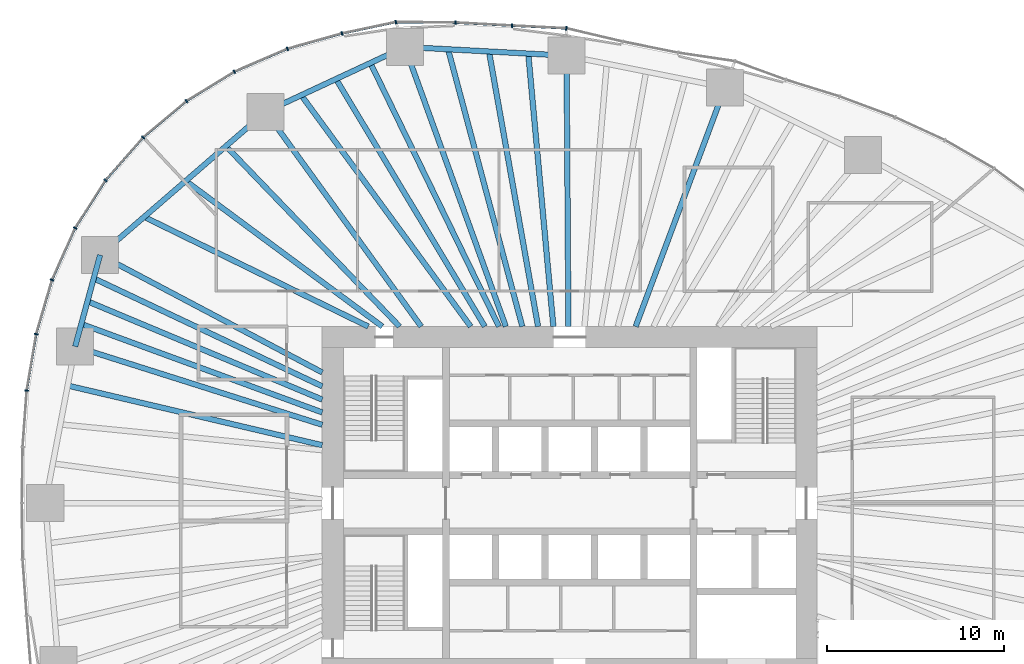
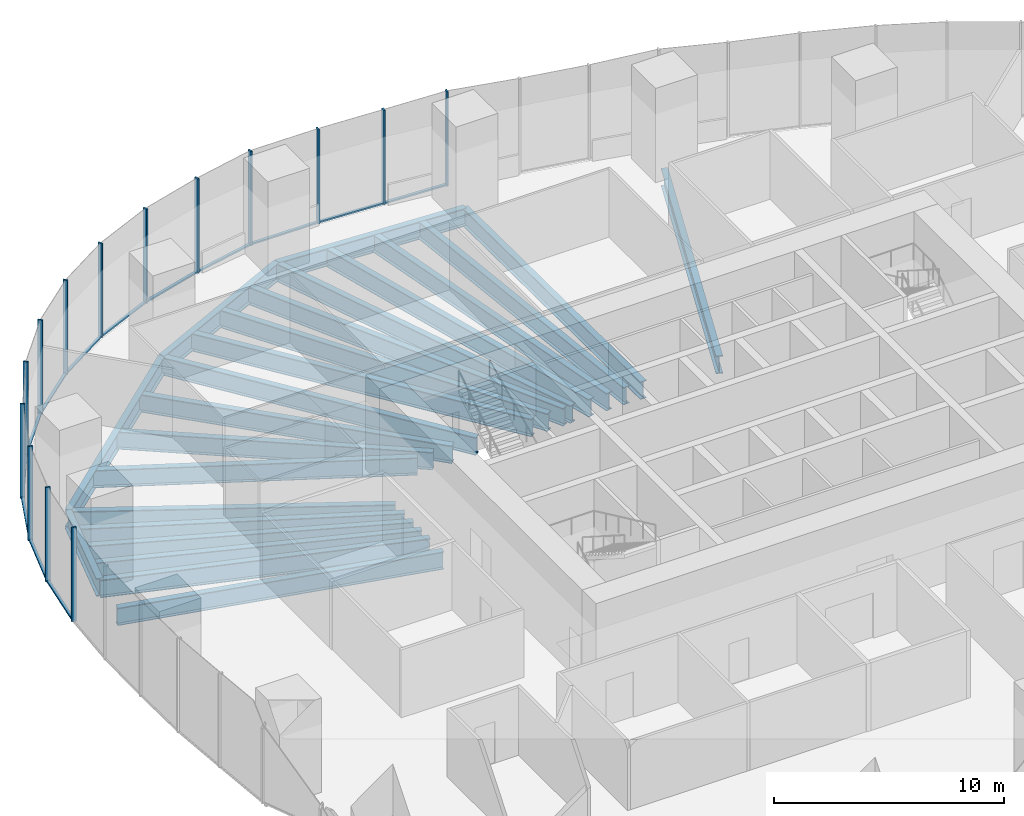
# One storey, part 5 of 20: 27 members, 23 beams, 5 elements without a shape of their own.
"""IFC4 building model written with IfcOpenShell, lengths in metres."""

from ifc_helpers import new_model, si_unit, direction, frame, origin, origin_2d, place, context, subcontext, project, spatial, rectangle, i_section, extrude, material, material_profile, profile_set, type_object, element, aggregate, save


model = new_model("IFC4")

# Units and contexts
model_context = context("Model", 3, precision=1e-05, world=origin(), true_north=direction((0.0, 1.0)))
body_context = subcontext(model_context, "Body", "Model", "MODEL_VIEW")
ifc_project = project(units=[si_unit("LENGTHUNIT", "METRE"), si_unit("AREAUNIT", "SQUARE_METRE"), si_unit("VOLUMEUNIT", "CUBIC_METRE"), si_unit("PLANEANGLEUNIT", "RADIAN"), si_unit("MASSUNIT", "GRAM", prefix="KILO")], contexts=[model_context])

# Site, building, storey
site_placement = place(None, origin())
site = spatial("IfcSite", under=ifc_project, at=site_placement, CompositionType="ELEMENT")
building_placement = place(site_placement, origin())
building = spatial("IfcBuilding", under=site, at=building_placement, Name="Ghaith Harvest Tower", CompositionType="ELEMENT")
storey_placement = place(building_placement, frame((0.0, 0.0, 30.0)))
storey = spatial("IfcBuildingStorey", under=building, at=storey_placement, Name="L06", CompositionType="ELEMENT", Elevation=30.0)

# Curtain wall, members
ifc_material_1 = material(Name="Black anodised aluminium and fritted glass", Category="aluminium")
curtain_wall_type = type_object("IfcCurtainWallType", Name="CW-F CURTAIN WALL", PredefinedType="NOTDEFINED", material=ifc_material_1)
curtain_wall_1_placement = place(storey_placement, origin())
curtain_wall_1 = element("IfcCurtainWall", 1, at=curtain_wall_1_placement, inside=storey, type_object=curtain_wall_type, Name="Curtain wall CW-F bay 06 L06", PredefinedType="NOTDEFINED")
ifc_material_2 = material(Name="Aluminium, black anodised", Category="aluminium")
ifc_material_profile_1 = material_profile(ifc_material_2, rectangle(XDim=0.080078125, YDim=0.219970703125, at=origin_2d()), Name="CW-F MULLION 80x220")
ifc_profile_set_1 = profile_set([ifc_material_profile_1], Name="Aluminium, black anodised")
member_type_1 = type_object("IfcMemberType", Name="CW-F MULLION 80x220", PredefinedType="MULLION", material=ifc_profile_set_1)
member_1_placement = place(storey_placement, frame((-0.183837890625, 26.877197265625, 0.0), z_axis=(0.0, 0.0, 1.0), x_axis=(-0.98971187143, 0.143074845976, 0.0)))
member_1 = element("IfcMember", 2, at=member_1_placement, type_object=member_type_1, Name="CW-F mullion 1 bay 06 L06", PredefinedType="MULLION", context=body_context, shape_type="SweptSolid", body=[
    extrude(rectangle(XDim=0.080078125, YDim=0.219970703125, at=origin_2d()), origin(), (0.0, 0.0, 1.0), 5.0),
])
member_2_placement = place(storey_placement, frame((-3.261962890625, 27.02978515625, 0.0), z_axis=(0.0, 0.0, 1.0), x_axis=(-0.998666923291, 0.051617597049, 0.0)))
member_2 = element("IfcMember", 3, at=member_2_placement, type_object=member_type_1, Name="CW-F mullion 2 bay 06 L06", PredefinedType="MULLION", context=body_context, shape_type="SweptSolid", body=[
    extrude(rectangle(XDim=0.080078125, YDim=0.219970703125, at=origin_2d()), origin(), (0.0, 0.0, 1.0), 5.0),
])
member_3_placement = place(storey_placement, frame((-6.465087890625, 27.20166015625, 0.0), z_axis=(0.0, 0.0, 1.0), x_axis=(-0.999527102163, 0.030750155138, 0.0)))
member_3 = element("IfcMember", 4, at=member_3_placement, type_object=member_type_1, Name="CW-F mullion 3 bay 06 L06", PredefinedType="MULLION", context=body_context, shape_type="SweptSolid", body=[
    extrude(rectangle(XDim=0.080078125, YDim=0.219970703125, at=origin_2d()), origin(), (0.0, 0.0, 1.0), 5.0),
])

curtain_wall_2_placement = place(storey_placement, origin())
curtain_wall_2 = element("IfcCurtainWall", 5, at=curtain_wall_2_placement, inside=storey, type_object=curtain_wall_type, Name="Curtain wall CW-F bay 07 L06", PredefinedType="NOTDEFINED")
member_4_placement = place(storey_placement, frame((-9.835693359375, 27.232177734375, 0.0), z_axis=(0.0, 0.0, 1.0), x_axis=(-0.995408459337, -0.095718332001, 0.0)))
member_4 = element("IfcMember", 6, at=member_4_placement, type_object=member_type_1, Name="CW-F mullion 1 bay 07 L06", PredefinedType="MULLION", context=body_context, shape_type="SweptSolid", body=[
    extrude(rectangle(XDim=0.080078125, YDim=0.219970703125, at=origin_2d()), origin(), (0.0, 0.0, 1.0), 5.0),
])
member_5_placement = place(storey_placement, frame((-12.880615234375, 26.5849609375, 0.0), z_axis=(0.0, 0.0, 1.0), x_axis=(-0.970824511782, -0.239791091, 0.0)))
member_5 = element("IfcMember", 7, at=member_5_placement, type_object=member_type_1, Name="CW-F mullion 2 bay 07 L06", PredefinedType="MULLION", context=body_context, shape_type="SweptSolid", body=[
    extrude(rectangle(XDim=0.080078125, YDim=0.219970703125, at=origin_2d()), origin(), (0.0, 0.0, 1.0), 5.0),
])
member_6_placement = place(storey_placement, frame((-15.97119140625, 25.716552734375, 0.0), z_axis=(0.0, 0.0, 1.0), x_axis=(-0.942293550527, -0.334787790451, 0.0)))
member_6 = element("IfcMember", 8, at=member_6_placement, type_object=member_type_1, Name="CW-F mullion 3 bay 07 L06", PredefinedType="MULLION", context=body_context, shape_type="SweptSolid", body=[
    extrude(rectangle(XDim=0.080078125, YDim=0.219970703125, at=origin_2d()), origin(), (0.0, 0.0, 1.0), 5.0),
])

curtain_wall_3_placement = place(storey_placement, origin())
curtain_wall_3 = element("IfcCurtainWall", 9, at=curtain_wall_3_placement, inside=storey, type_object=curtain_wall_type, Name="Curtain wall CW-F bay 08 L06", PredefinedType="NOTDEFINED")
member_7_placement = place(storey_placement, frame((-18.96728515625, 24.42236328125, 0.0), z_axis=(0.0, 0.0, 1.0), x_axis=(-0.887912253252, -0.460012859086, 0.0)))
member_7 = element("IfcMember", 10, at=member_7_placement, type_object=member_type_1, Name="CW-F mullion 1 bay 08 L06", PredefinedType="MULLION", context=body_context, shape_type="SweptSolid", body=[
    extrude(rectangle(XDim=0.080078125, YDim=0.219970703125, at=origin_2d()), origin(), (0.0, 0.0, 1.0), 5.0),
])
member_8_placement = place(storey_placement, frame((-21.681640625, 22.758056640625, 0.0), z_axis=(0.0, 0.0, 1.0), x_axis=(-0.811400750439, -0.584490224202, 0.0)))
member_8 = element("IfcMember", 11, at=member_8_placement, type_object=member_type_1, Name="CW-F mullion 2 bay 08 L06", PredefinedType="MULLION", context=body_context, shape_type="SweptSolid", body=[
    extrude(rectangle(XDim=0.080078125, YDim=0.219970703125, at=origin_2d()), origin(), (0.0, 0.0, 1.0), 5.0),
])
member_9_placement = place(storey_placement, frame((-24.139404296875, 20.696533203125, 0.0), z_axis=(0.0, 0.0, 1.0), x_axis=(-0.714663248213, -0.699468685256, 0.0)))
member_9 = element("IfcMember", 12, at=member_9_placement, type_object=member_type_1, Name="CW-F mullion 3 bay 08 L06", PredefinedType="MULLION", context=body_context, shape_type="SweptSolid", body=[
    extrude(rectangle(XDim=0.080078125, YDim=0.219970703125, at=origin_2d()), origin(), (0.0, 0.0, 1.0), 5.0),
])

curtain_wall_4_placement = place(storey_placement, origin())
curtain_wall_4 = element("IfcCurtainWall", 13, at=curtain_wall_4_placement, inside=storey, type_object=curtain_wall_type, Name="Curtain wall CW-F bay 09 L06", PredefinedType="NOTDEFINED")
member_10_placement = place(storey_placement, frame((-26.26318359375, 18.274169921875, 0.0), z_axis=(0.0, 0.0, 1.0), x_axis=(-0.599861600644, -0.800103780814, 0.0)))
member_10 = element("IfcMember", 14, at=member_10_placement, type_object=member_type_1, Name="CW-F mullion 1 bay 09 L06", PredefinedType="MULLION", context=body_context, shape_type="SweptSolid", body=[
    extrude(rectangle(XDim=0.080078125, YDim=0.219970703125, at=origin_2d()), origin(), (0.0, 0.0, 1.0), 5.0),
])
member_11_placement = place(storey_placement, frame((-27.986328125, 15.5654296875, 0.0), z_axis=(0.0, 0.0, 1.0), x_axis=(-0.473265082758, -0.880920065297, 0.0)))
member_11 = element("IfcMember", 15, at=member_11_placement, type_object=member_type_1, Name="CW-F mullion 2 bay 09 L06", PredefinedType="MULLION", context=body_context, shape_type="SweptSolid", body=[
    extrude(rectangle(XDim=0.080078125, YDim=0.219970703125, at=origin_2d()), origin(), (0.0, 0.0, 1.0), 5.0),
])
member_12_placement = place(storey_placement, frame((-29.29248046875, 12.63525390625, 0.0), z_axis=(0.0, 0.0, 1.0), x_axis=(-0.344618322502, -0.938742889079, 0.0)))
member_12 = element("IfcMember", 16, at=member_12_placement, type_object=member_type_1, Name="CW-F mullion 3 bay 09 L06", PredefinedType="MULLION", context=body_context, shape_type="SweptSolid", body=[
    extrude(rectangle(XDim=0.080078125, YDim=0.219970703125, at=origin_2d()), origin(), (0.0, 0.0, 1.0), 5.0),
])

curtain_wall_5_placement = place(storey_placement, origin())
curtain_wall_5 = element("IfcCurtainWall", 17, at=curtain_wall_5_placement, inside=storey, type_object=curtain_wall_type, Name="Curtain wall CW-F bay 10 L06", PredefinedType="NOTDEFINED")
member_13_placement = place(storey_placement, frame((-30.1884765625, 9.567138671875, 0.0), z_axis=(0.0, 0.0, 1.0), x_axis=(-0.222967363645, -0.97482590997, 0.0)))
member_13 = element("IfcMember", 18, at=member_13_placement, type_object=member_type_1, Name="CW-F mullion 1 bay 10 L06", PredefinedType="MULLION", context=body_context, shape_type="SweptSolid", body=[
    extrude(rectangle(XDim=0.080078125, YDim=0.219970703125, at=origin_2d()), origin(), (0.0, 0.0, 1.0), 5.0),
])
member_14_placement = place(storey_placement, frame((-30.724365234375, 6.37548828125, 0.0), z_axis=(0.0, 0.0, 1.0), x_axis=(-0.119352816132, -0.99285190501, 0.0)))
member_14 = element("IfcMember", 19, at=member_14_placement, type_object=member_type_1, Name="CW-F mullion 2 bay 10 L06", PredefinedType="MULLION", context=body_context, shape_type="SweptSolid", body=[
    extrude(rectangle(XDim=0.080078125, YDim=0.219970703125, at=origin_2d()), origin(), (0.0, 0.0, 1.0), 5.0),
])

# Member
ifc_material_3 = material(Name="Aluminium, black anodised", Category="aluminium")
ifc_material_profile_2 = material_profile(ifc_material_3, rectangle(XDim=0.139892578125, YDim=0.080078125, at=origin_2d()), Name="CW-F TRANSOM 140x80")
ifc_profile_set_2 = profile_set([ifc_material_profile_2], Name="Aluminium, black anodised")
member_type_2 = type_object("IfcMemberType", Name="CW-F TRANSOM 140x80", PredefinedType="USERDEFINED", material=ifc_profile_set_2)
member_15_placement = place(storey_placement, frame((-0.223876953125, 26.879150390625, 0.0400390625), z_axis=(-0.998772539109, 0.049531960612, 0.0), x_axis=(-0.049531960612, -0.998772539109, 0.0)))
member_15 = element("IfcMember", 20, at=member_15_placement, type_object=member_type_2, Name="CW-F transom 1 bay 06 L06", ObjectType="TRANSOM", PredefinedType="USERDEFINED", context=body_context, shape_type="SweptSolid", body=[
    extrude(rectangle(XDim=0.139892578125, YDim=0.080078125, at=origin_2d()), origin(), (0.0, 0.0, 1.0), 3.001708984375),
])

member_16_placement = place(storey_placement, frame((-3.3017578125, 27.031982421875, 0.0400390625), z_axis=(-0.99856142387, 0.053619798202, 0.0), x_axis=(-0.053619798202, -0.99856142387, 0.0)))
member_16 = element("IfcMember", 21, at=member_16_placement, type_object=member_type_2, Name="CW-F transom 2 bay 06 L06", ObjectType="TRANSOM", PredefinedType="USERDEFINED", context=body_context, shape_type="SweptSolid", body=[
    extrude(rectangle(XDim=0.139892578125, YDim=0.080078125, at=origin_2d()), origin(), (0.0, 0.0, 1.0), 3.1279296875),
])

member_17_placement = place(storey_placement, frame((-6.505126953125, 27.2021484375, 0.0400390625), z_axis=(-0.999959703847, 0.008977231352, 0.0), x_axis=(-0.008977231352, -0.999959703847, 0.0)))
member_17 = element("IfcMember", 22, at=member_17_placement, type_object=member_type_2, Name="CW-F transom 3 bay 06 L06", ObjectType="TRANSOM", PredefinedType="USERDEFINED", context=body_context, shape_type="SweptSolid", body=[
    extrude(rectangle(XDim=0.139892578125, YDim=0.080078125, at=origin_2d()), origin(), (0.0, 0.0, 1.0), 3.290771484375),
])

aggregate(curtain_wall_1, [member_1, member_15, member_2, member_16, member_3, member_17])

member_18_placement = place(storey_placement, frame((-9.874755859375, 27.2236328125, 0.0400390625), z_axis=(-0.978160283029, -0.207852016359, 0.0), x_axis=(0.207852016359, -0.978160283029, 0.0)))
member_18 = element("IfcMember", 23, at=member_18_placement, type_object=member_type_2, Name="CW-F transom 1 bay 07 L06", ObjectType="TRANSOM", PredefinedType="USERDEFINED", context=body_context, shape_type="SweptSolid", body=[
    extrude(rectangle(XDim=0.139892578125, YDim=0.080078125, at=origin_2d()), origin(), (0.0, 0.0, 1.0), 3.03271484375),
])

member_19_placement = place(storey_placement, frame((-12.9189453125, 26.573974609375, 0.0400390625), z_axis=(-0.962727128991, -0.270474536888, 0.0), x_axis=(0.270474536888, -0.962727128991, 0.0)))
member_19 = element("IfcMember", 24, at=member_19_placement, type_object=member_type_2, Name="CW-F transom 2 bay 07 L06", ObjectType="TRANSOM", PredefinedType="USERDEFINED", context=body_context, shape_type="SweptSolid", body=[
    extrude(rectangle(XDim=0.139892578125, YDim=0.080078125, at=origin_2d()), origin(), (0.0, 0.0, 1.0), 3.13037109375),
])

member_20_placement = place(storey_placement, frame((-16.008056640625, 25.70068359375, 0.0400390625), z_axis=(-0.9180027124, -0.396574104079, 0.0), x_axis=(0.396574104079, -0.9180027124, 0.0)))
member_20 = element("IfcMember", 25, at=member_20_placement, type_object=member_type_2, Name="CW-F transom 3 bay 07 L06", ObjectType="TRANSOM", PredefinedType="USERDEFINED", context=body_context, shape_type="SweptSolid", body=[
    extrude(rectangle(XDim=0.139892578125, YDim=0.080078125, at=origin_2d()), origin(), (0.0, 0.0, 1.0), 3.183349609375),
])

aggregate(curtain_wall_2, [member_4, member_18, member_5, member_19, member_6, member_20])

member_21_placement = place(storey_placement, frame((-19.001220703125, 24.4013671875, 0.0400390625), z_axis=(-0.852561687195, -0.522626606219, 0.0), x_axis=(0.522626606219, -0.852561687195, 0.0)))
member_21 = element("IfcMember", 26, at=member_21_placement, type_object=member_type_2, Name="CW-F transom 1 bay 08 L06", ObjectType="TRANSOM", PredefinedType="USERDEFINED", context=body_context, shape_type="SweptSolid", body=[
    extrude(rectangle(XDim=0.139892578125, YDim=0.080078125, at=origin_2d()), origin(), (0.0, 0.0, 1.0), 3.104248046875),
])

member_22_placement = place(storey_placement, frame((-21.71240234375, 22.732421875, 0.0400390625), z_axis=(-0.766144434184, -0.642668426149, 0.0), x_axis=(0.642668426149, -0.766144434184, 0.0)))
member_22 = element("IfcMember", 27, at=member_22_placement, type_object=member_type_2, Name="CW-F transom 2 bay 08 L06", ObjectType="TRANSOM", PredefinedType="USERDEFINED", context=body_context, shape_type="SweptSolid", body=[
    extrude(rectangle(XDim=0.139892578125, YDim=0.080078125, at=origin_2d()), origin(), (0.0, 0.0, 1.0), 3.1279296875),
])

member_23_placement = place(storey_placement, frame((-24.165771484375, 20.66650390625, 0.0400390625), z_axis=(-0.65923052982, -0.751940894322, 0.0), x_axis=(0.751940894322, -0.65923052982, 0.0)))
member_23 = element("IfcMember", 28, at=member_23_placement, type_object=member_type_2, Name="CW-F transom 3 bay 08 L06", ObjectType="TRANSOM", PredefinedType="USERDEFINED", context=body_context, shape_type="SweptSolid", body=[
    extrude(rectangle(XDim=0.139892578125, YDim=0.080078125, at=origin_2d()), origin(), (0.0, 0.0, 1.0), 3.1416015625),
])

aggregate(curtain_wall_3, [member_7, member_21, member_8, member_22, member_9, member_23])

member_24_placement = place(storey_placement, frame((-26.28466796875, 18.240234375, 0.0400390625), z_axis=(-0.536754366643, -0.843738555412, 0.0), x_axis=(0.843738555412, -0.536754366643, 0.0)))
member_24 = element("IfcMember", 29, at=member_24_placement, type_object=member_type_2, Name="CW-F transom 1 bay 09 L06", ObjectType="TRANSOM", PredefinedType="USERDEFINED", context=body_context, shape_type="SweptSolid", body=[
    extrude(rectangle(XDim=0.139892578125, YDim=0.080078125, at=origin_2d()), origin(), (0.0, 0.0, 1.0), 3.13037109375),
])

member_25_placement = place(storey_placement, frame((-28.002685546875, 15.52880859375, 0.0400390625), z_axis=(-0.407123143204, -0.913373278714, 0.0), x_axis=(0.913373278714, -0.407123143204, 0.0)))
member_25 = element("IfcMember", 30, at=member_25_placement, type_object=member_type_2, Name="CW-F transom 2 bay 09 L06", ObjectType="TRANSOM", PredefinedType="USERDEFINED", context=body_context, shape_type="SweptSolid", body=[
    extrude(rectangle(XDim=0.139892578125, YDim=0.080078125, at=origin_2d()), origin(), (0.0, 0.0, 1.0), 3.1279296875),
])

member_26_placement = place(storey_placement, frame((-29.3037109375, 12.596923828125, 0.0400390625), z_axis=(-0.280324903873, -0.959905176707, 0.0), x_axis=(0.959905176707, -0.280324903873, 0.0)))
member_26 = element("IfcMember", 31, at=member_26_placement, type_object=member_type_2, Name="CW-F transom 3 bay 09 L06", ObjectType="TRANSOM", PredefinedType="USERDEFINED", context=body_context, shape_type="SweptSolid", body=[
    extrude(rectangle(XDim=0.139892578125, YDim=0.080078125, at=origin_2d()), origin(), (0.0, 0.0, 1.0), 3.1162109375),
])

aggregate(curtain_wall_4, [member_10, member_24, member_11, member_25, member_12, member_26])

member_27_placement = place(storey_placement, frame((-30.195068359375, 9.52783203125, 0.0400390625), z_axis=(-0.165527763099, -0.986205130611, 0.0), x_axis=(0.986205130611, -0.165527763099, 0.0)))
member_27 = element("IfcMember", 32, at=member_27_placement, type_object=member_type_2, Name="CW-F transom 1 bay 10 L06", ObjectType="TRANSOM", PredefinedType="USERDEFINED", context=body_context, shape_type="SweptSolid", body=[
    extrude(rectangle(XDim=0.139892578125, YDim=0.080078125, at=origin_2d()), origin(), (0.0, 0.0, 1.0), 3.15625),
])

aggregate(curtain_wall_5, [member_13, member_27, member_14])

# Beams
ifc_material_4 = material(Name="Steel ASTM A992 Grade 50", Category="steel")
ifc_material_profile_3 = material_profile(ifc_material_4, i_section(OverallWidth=0.306884765625, OverallDepth=0.94189453125, WebThickness=0.022216796875, FlangeThickness=0.039794921875, at=origin_2d()), Name="W920X345")
ifc_profile_set_3 = profile_set([ifc_material_profile_3], Name="Steel ASTM A992 Grade 50")
beam_type_1 = type_object("IfcBeamType", Name="E920-345 W920X345", PredefinedType="SPANDREL", material=ifc_profile_set_3)
beam_1_placement = place(storey_placement, frame((-0.173095703125, 25.326904296875, -0.6708984375), z_axis=(-0.998545840532, 0.053909223293, 0.0), x_axis=(-0.053909223293, -0.998545840532, 0.0)))
element("IfcBeam", 33, at=beam_1_placement, inside=storey, type_object=beam_type_1, Name="Edge beam E06 L06", PredefinedType="SPANDREL", context=body_context, shape_type="SweptSolid", body=[
    extrude(i_section(OverallWidth=0.306884765625, OverallDepth=0.94189453125, WebThickness=0.022216796875, FlangeThickness=0.039794921875, at=origin_2d()), origin(), (0.0, 0.0, 1.0), 9.166259765625),
])
beam_2_placement = place(storey_placement, frame((-9.325927734375, 25.821044921875, -0.6708984375), z_axis=(-0.906373259523, -0.422477827137, 0.0), x_axis=(0.422477827137, -0.906373259523, 0.0)))
element("IfcBeam", 34, at=beam_2_placement, inside=storey, type_object=beam_type_1, Name="Edge beam E07 L06", PredefinedType="SPANDREL", context=body_context, shape_type="SweptSolid", body=[
    extrude(i_section(OverallWidth=0.306884765625, OverallDepth=0.94189453125, WebThickness=0.022216796875, FlangeThickness=0.039794921875, at=origin_2d()), origin(), (0.0, 0.0, 1.0), 8.689453125),
])
beam_3_placement = place(storey_placement, frame((-17.201904296875, 22.14990234375, -0.6708984375), z_axis=(-0.756392158274, -0.654118416574, 0.0), x_axis=(0.654118416574, -0.756392158274, 0.0)))
element("IfcBeam", 35, at=beam_3_placement, inside=storey, type_object=beam_type_1, Name="Edge beam E08 L06", PredefinedType="SPANDREL", context=body_context, shape_type="SweptSolid", body=[
    extrude(i_section(OverallWidth=0.306884765625, OverallDepth=0.94189453125, WebThickness=0.022216796875, FlangeThickness=0.039794921875, at=origin_2d()), origin(), (0.0, 0.0, 1.0), 12.38916015625),
])
beam_4_placement = place(storey_placement, frame((-26.572998046875, 14.0458984375, -0.6708984375), z_axis=(-0.262724740433, -0.964870825947, 0.0), x_axis=(0.964870825947, -0.262724740433, 0.0)))
element("IfcBeam", 36, at=beam_4_placement, inside=storey, type_object=beam_type_1, Name="Edge beam E09 L06", PredefinedType="SPANDREL", context=body_context, shape_type="SweptSolid", body=[
    extrude(i_section(OverallWidth=0.306884765625, OverallDepth=0.94189453125, WebThickness=0.022216796875, FlangeThickness=0.039794921875, at=origin_2d()), origin(), (0.0, 0.0, 1.0), 5.366455078125),
])
ifc_material_5 = material(Name="Steel ASTM A992 Grade 50", Category="steel")
ifc_material_profile_4 = material_profile(ifc_material_5, i_section(OverallWidth=0.306884765625, OverallDepth=0.94189453125, WebThickness=0.022216796875, FlangeThickness=0.039794921875, at=origin_2d()), Name="W920X345")
ifc_profile_set_4 = profile_set([ifc_material_profile_4], Name="Steel ASTM A992 Grade 50")
beam_type_2 = type_object("IfcBeamType", Name="G920-345 W920X345", PredefinedType="BEAM", material=ifc_profile_set_4)
beam_5_placement = place(storey_placement, frame((3.73828125, 10.0, -0.6708984375), z_axis=(0.350150596156, 0.936693418367, 0.0), x_axis=(-0.936693418367, 0.350150596156, 0.0)))
element("IfcBeam", 37, at=beam_5_placement, inside=storey, type_object=beam_type_2, Name="Radial girder G05 L06", PredefinedType="BEAM", context=body_context, shape_type="SweptSolid", body=[
    extrude(i_section(OverallWidth=0.306884765625, OverallDepth=0.94189453125, WebThickness=0.022216796875, FlangeThickness=0.039794921875, at=origin_2d()), origin(), (0.0, 0.0, 1.0), 14.44140625),
])
beam_6_placement = place(storey_placement, frame((-0.068359375, 10.0, -0.6708984375), z_axis=(-0.006833335732, 0.999976652489, 0.0), x_axis=(-0.999976652489, -0.006833335732, 0.0)))
element("IfcBeam", 38, at=beam_6_placement, inside=storey, type_object=beam_type_2, Name="Radial girder G06 L06", PredefinedType="BEAM", context=body_context, shape_type="SweptSolid", body=[
    extrude(i_section(OverallWidth=0.306884765625, OverallDepth=0.94189453125, WebThickness=0.022216796875, FlangeThickness=0.039794921875, at=origin_2d()), origin(), (0.0, 0.0, 1.0), 15.3271484375),
])
beam_7_placement = place(storey_placement, frame((-3.61181640625, 10.0, -0.6708984375), z_axis=(-0.339694751271, 0.940535738799, 0.0), x_axis=(-0.940535738799, -0.339694751271, 0.0)))
element("IfcBeam", 39, at=beam_7_placement, inside=storey, type_object=beam_type_2, Name="Radial girder G07 L06", PredefinedType="BEAM", context=body_context, shape_type="SweptSolid", body=[
    extrude(i_section(OverallWidth=0.306884765625, OverallDepth=0.94189453125, WebThickness=0.022216796875, FlangeThickness=0.039794921875, at=origin_2d()), origin(), (0.0, 0.0, 1.0), 16.8212890625),
])
beam_8_placement = place(storey_placement, frame((-8.39990234375, 10.0, -0.6708984375), z_axis=(-0.586675813287, 0.809821887889, 0.0), x_axis=(-0.809821887889, -0.586675813287, 0.0)))
element("IfcBeam", 40, at=beam_8_placement, inside=storey, type_object=beam_type_2, Name="Radial girder G08 L06", PredefinedType="BEAM", context=body_context, shape_type="SweptSolid", body=[
    extrude(i_section(OverallWidth=0.306884765625, OverallDepth=0.94189453125, WebThickness=0.022216796875, FlangeThickness=0.039794921875, at=origin_2d()), origin(), (0.0, 0.0, 1.0), 15.003173828125),
])
beam_9_placement = place(storey_placement, frame((-14.0, 7.39990234375, -0.6708984375), z_axis=(-0.88408713845, 0.467322085533, 0.0), x_axis=(-0.467322085533, -0.88408713845, 0.0)))
element("IfcBeam", 41, at=beam_9_placement, inside=storey, type_object=beam_type_2, Name="Radial girder G09 L06", PredefinedType="BEAM", context=body_context, shape_type="SweptSolid", body=[
    extrude(i_section(OverallWidth=0.306884765625, OverallDepth=0.94189453125, WebThickness=0.022216796875, FlangeThickness=0.039794921875, at=origin_2d()), origin(), (0.0, 0.0, 1.0), 14.221435546875),
])
beam_10_placement = place(storey_placement, frame((-14.0, 4.43701171875, -0.6708984375), z_axis=(-0.953283605796, 0.302076756671, 0.0), x_axis=(-0.302076756671, -0.953283605796, 0.0)))
element("IfcBeam", 42, at=beam_10_placement, inside=storey, type_object=beam_type_2, Name="Radial girder G10 L06", PredefinedType="BEAM", context=body_context, shape_type="SweptSolid", body=[
    extrude(i_section(OverallWidth=0.306884765625, OverallDepth=0.94189453125, WebThickness=0.022216796875, FlangeThickness=0.039794921875, at=origin_2d()), origin(), (0.0, 0.0, 1.0), 14.668212890625),
])
ifc_material_6 = material(Name="Steel ASTM A992 Grade 50", Category="steel")
ifc_material_profile_5 = material_profile(ifc_material_6, i_section(OverallWidth=0.31005859375, OverallDepth=0.927001953125, WebThickness=0.019287109375, FlangeThickness=0.031982421875, at=origin_2d()), Name="W920X289")
ifc_profile_set_5 = profile_set([ifc_material_profile_5], Name="Steel ASTM A992 Grade 50")
beam_type_3 = type_object("IfcBeamType", Name="J920-289 W920X289", PredefinedType="JOIST", material=ifc_profile_set_5)
beam_11_placement = place(storey_placement, frame((-0.92041015625, 10.0, -0.66357421875), z_axis=(-0.091647013776, 0.995791556936, 0.0), x_axis=(-0.995791556936, -0.091647013776, 0.0)))
element("IfcBeam", 43, at=beam_11_placement, inside=storey, type_object=beam_type_3, Name="Joist J06.1 L06", PredefinedType="JOIST", context=body_context, shape_type="SweptSolid", body=[
    extrude(i_section(OverallWidth=0.31005859375, OverallDepth=0.927001953125, WebThickness=0.019287109375, FlangeThickness=0.031982421875, at=origin_2d()), origin(), (0.0, 0.0, 1.0), 15.50927734375),
])
beam_12_placement = place(storey_placement, frame((-1.785888671875, 10.0, -0.66357421875), z_axis=(-0.175789035136, 0.984427861819, 0.0), x_axis=(-0.984427861819, -0.175789035136, 0.0)))
element("IfcBeam", 44, at=beam_12_placement, inside=storey, type_object=beam_type_3, Name="Joist J06.2 L06", PredefinedType="JOIST", context=body_context, shape_type="SweptSolid", body=[
    extrude(i_section(OverallWidth=0.31005859375, OverallDepth=0.927001953125, WebThickness=0.019287109375, FlangeThickness=0.031982421875, at=origin_2d()), origin(), (0.0, 0.0, 1.0), 15.810302734375),
])
beam_13_placement = place(storey_placement, frame((-10.60009765625, 10.0, -0.66357421875), z_axis=(-0.803663089107, 0.595084564752, 0.0), x_axis=(-0.595084564752, -0.803663089107, 0.0)))
element("IfcBeam", 45, at=beam_13_placement, inside=storey, type_object=beam_type_3, Name="Joist J08.2 L06", PredefinedType="JOIST", context=body_context, shape_type="SweptSolid", body=[
    extrude(i_section(OverallWidth=0.31005859375, OverallDepth=0.927001953125, WebThickness=0.019287109375, FlangeThickness=0.031982421875, at=origin_2d()), origin(), (0.0, 0.0, 1.0), 13.843505859375),
])
beam_14_placement = place(storey_placement, frame((-11.39990234375, 10.0, -0.66357421875), z_axis=(-0.898274832354, 0.439434096946, 0.0), x_axis=(-0.439434096946, -0.898274832354, 0.0)))
element("IfcBeam", 46, at=beam_14_placement, inside=storey, type_object=beam_type_3, Name="Joist J08.3 L06", PredefinedType="JOIST", context=body_context, shape_type="SweptSolid", body=[
    extrude(i_section(OverallWidth=0.31005859375, OverallDepth=0.927001953125, WebThickness=0.019287109375, FlangeThickness=0.031982421875, at=origin_2d()), origin(), (0.0, 0.0, 1.0), 14.114990234375),
])
beam_15_placement = place(storey_placement, frame((-14.0, 6.614990234375, -0.66357421875), z_axis=(-0.904153428261, 0.427207886354, 0.0), x_axis=(-0.427207886354, -0.904153428261, 0.0)))
element("IfcBeam", 47, at=beam_15_placement, inside=storey, type_object=beam_type_3, Name="Joist J09.1 L06", PredefinedType="JOIST", context=body_context, shape_type="SweptSolid", body=[
    extrude(i_section(OverallWidth=0.31005859375, OverallDepth=0.927001953125, WebThickness=0.019287109375, FlangeThickness=0.031982421875, at=origin_2d()), origin(), (0.0, 0.0, 1.0), 14.303466796875),
])
beam_16_placement = place(storey_placement, frame((-14.0, 5.862548828125, -0.66357421875), z_axis=(-0.922385943167, 0.38626955853, 0.0), x_axis=(-0.38626955853, -0.922385943167, 0.0)))
element("IfcBeam", 48, at=beam_16_placement, inside=storey, type_object=beam_type_3, Name="Joist J09.2 L06", PredefinedType="JOIST", context=body_context, shape_type="SweptSolid", body=[
    extrude(i_section(OverallWidth=0.31005859375, OverallDepth=0.927001953125, WebThickness=0.019287109375, FlangeThickness=0.031982421875, at=origin_2d()), origin(), (0.0, 0.0, 1.0), 14.404296875),
])
beam_17_placement = place(storey_placement, frame((-14.0, 5.137939453125, -0.66357421875), z_axis=(-0.93877541132, 0.344529718748, 0.0), x_axis=(-0.344529718748, -0.93877541132, 0.0)))
element("IfcBeam", 49, at=beam_17_placement, inside=storey, type_object=beam_type_3, Name="Joist J09.3 L06", PredefinedType="JOIST", context=body_context, shape_type="SweptSolid", body=[
    extrude(i_section(OverallWidth=0.31005859375, OverallDepth=0.927001953125, WebThickness=0.019287109375, FlangeThickness=0.031982421875, at=origin_2d()), origin(), (0.0, 0.0, 1.0), 14.525390625),
])
beam_18_placement = place(storey_placement, frame((-14.0, 3.280517578125, -0.66357421875), z_axis=(-0.973623012228, 0.228162727151, 0.0), x_axis=(-0.228162727151, -0.973623012228, 0.0)))
element("IfcBeam", 50, at=beam_18_placement, inside=storey, type_object=beam_type_3, Name="Joist J10.1 L06", PredefinedType="JOIST", context=body_context, shape_type="SweptSolid", body=[
    extrude(i_section(OverallWidth=0.31005859375, OverallDepth=0.927001953125, WebThickness=0.019287109375, FlangeThickness=0.031982421875, at=origin_2d()), origin(), (0.0, 0.0, 1.0), 14.795166015625),
])
ifc_material_7 = material(Name="Steel ASTM A992 Grade 50", Category="steel")
ifc_material_profile_6 = material_profile(ifc_material_7, i_section(OverallWidth=0.306884765625, OverallDepth=0.94189453125, WebThickness=0.022216796875, FlangeThickness=0.039794921875, at=origin_2d()), Name="W920X345")
ifc_profile_set_6 = profile_set([ifc_material_profile_6], Name="Steel ASTM A992 Grade 50")
beam_type_4 = type_object("IfcBeamType", Name="J920-345 W920X345", PredefinedType="JOIST", material=ifc_profile_set_6)
beam_19_placement = place(storey_placement, frame((-2.677978515625, 10.0, -0.6708984375), z_axis=(-0.258679482451, 0.965963211183, 0.0), x_axis=(-0.965963211183, -0.258679482451, 0.0)))
element("IfcBeam", 51, at=beam_19_placement, inside=storey, type_object=beam_type_4, Name="Joist J06.3 L06", PredefinedType="JOIST", context=body_context, shape_type="SweptSolid", body=[
    extrude(i_section(OverallWidth=0.306884765625, OverallDepth=0.94189453125, WebThickness=0.022216796875, FlangeThickness=0.039794921875, at=origin_2d()), origin(), (0.0, 0.0, 1.0), 16.24169921875),
])
beam_20_placement = place(storey_placement, frame((-4.0, 10.0, -0.6708984375), z_axis=(-0.438505380705, 0.898728563635, 0.0), x_axis=(-0.898728563635, -0.438505380705, 0.0)))
element("IfcBeam", 52, at=beam_20_placement, inside=storey, type_object=beam_type_4, Name="Joist J07.1 L06", PredefinedType="JOIST", context=body_context, shape_type="SweptSolid", body=[
    extrude(i_section(OverallWidth=0.306884765625, OverallDepth=0.94189453125, WebThickness=0.022216796875, FlangeThickness=0.039794921875, at=origin_2d()), origin(), (0.0, 0.0, 1.0), 16.592529296875),
])
beam_21_placement = place(storey_placement, frame((-4.800048828125, 10.0, -0.6708984375), z_axis=(-0.515358894704, 0.85697445099, 0.0), x_axis=(-0.85697445099, -0.515358894704, 0.0)))
element("IfcBeam", 53, at=beam_21_placement, inside=storey, type_object=beam_type_4, Name="Joist J07.2 L06", PredefinedType="JOIST", context=body_context, shape_type="SweptSolid", body=[
    extrude(i_section(OverallWidth=0.306884765625, OverallDepth=0.94189453125, WebThickness=0.022216796875, FlangeThickness=0.039794921875, at=origin_2d()), origin(), (0.0, 0.0, 1.0), 16.34228515625),
])
beam_22_placement = place(storey_placement, frame((-5.60009765625, 10.0, -0.6708984375), z_axis=(-0.591008736068, 0.806665155992, 0.0), x_axis=(-0.806665155992, -0.591008736068, 0.0)))
element("IfcBeam", 54, at=beam_22_placement, inside=storey, type_object=beam_type_4, Name="Joist J07.3 L06", PredefinedType="JOIST", context=body_context, shape_type="SweptSolid", body=[
    extrude(i_section(OverallWidth=0.306884765625, OverallDepth=0.94189453125, WebThickness=0.022216796875, FlangeThickness=0.039794921875, at=origin_2d()), origin(), (0.0, 0.0, 1.0), 16.22509765625),
])
beam_23_placement = place(storey_placement, frame((-9.626708984375, 10.0, -0.6708984375), z_axis=(-0.693535693616, 0.720422266231, 0.0), x_axis=(-0.720422266231, -0.693535693616, 0.0)))
element("IfcBeam", 55, at=beam_23_placement, inside=storey, type_object=beam_type_4, Name="Joist J08.1 L06", PredefinedType="JOIST", context=body_context, shape_type="SweptSolid", body=[
    extrude(i_section(OverallWidth=0.306884765625, OverallDepth=0.94189453125, WebThickness=0.022216796875, FlangeThickness=0.039794921875, at=origin_2d()), origin(), (0.0, 0.0, 1.0), 14.16552734375),
])

save(model, "model.ifc")
